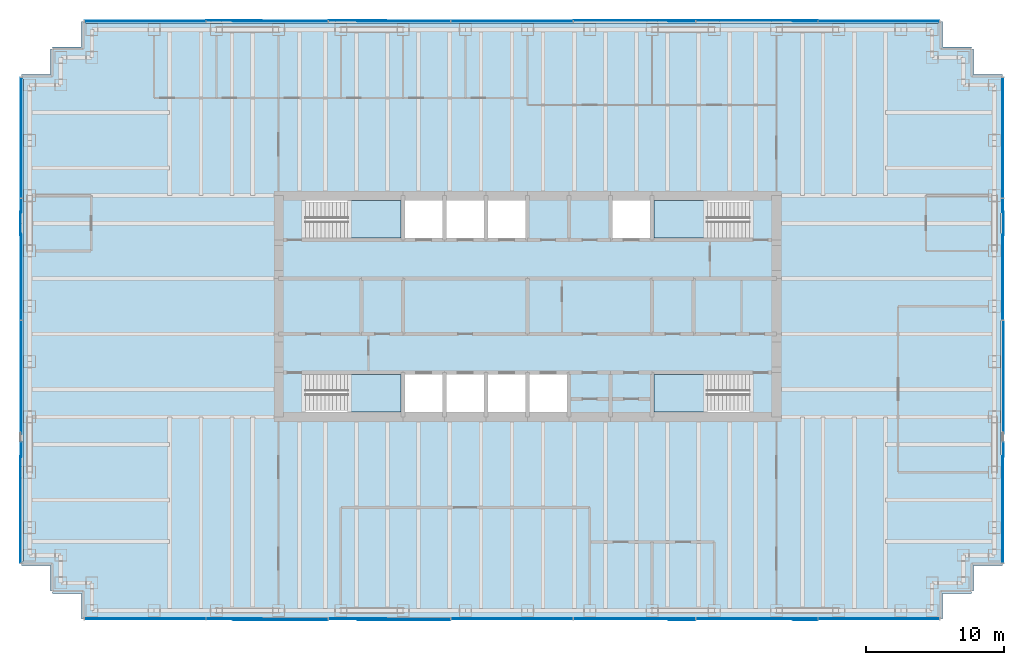
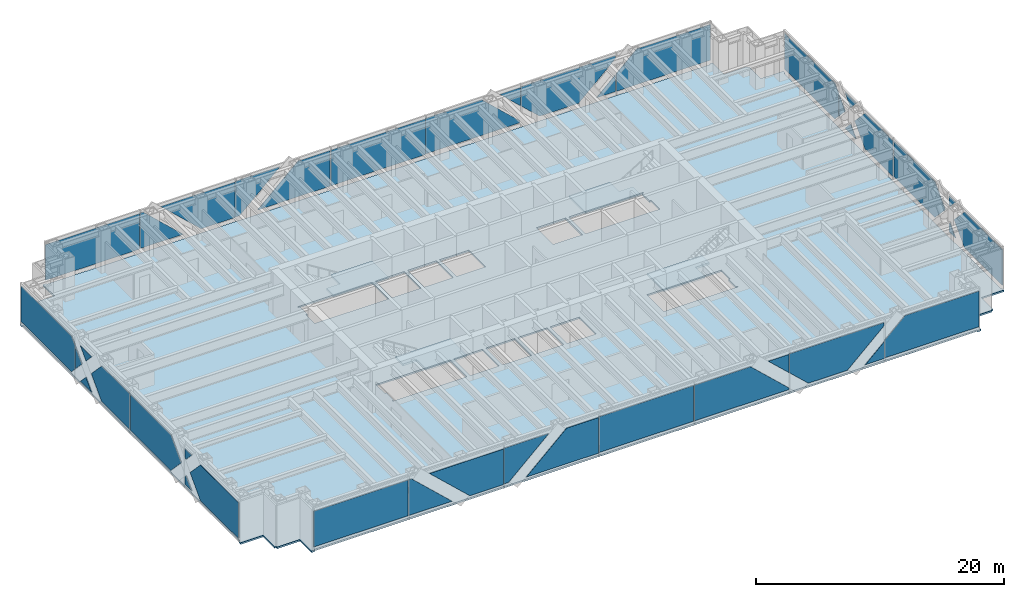
# One storey, part 10 of 17: 40 plates, 5 slabs, 8 elements without a shape of their own.
"""IFC4 building model written with IfcOpenShell, lengths in metres."""

from ifc_helpers import new_model, si_unit, direction, frame, origin, origin_2d, place, context, subcontext, project, spatial, polyline, rectangle, outline, extrude, material, layer, layer_set, type_object, element, aggregate, save


model = new_model("IFC4")

# Units and contexts
model_context = context("Model", 3, precision=1e-05, world=origin(), true_north=direction((0.0, 1.0)))
body_context = subcontext(model_context, "Body", "Model", "MODEL_VIEW")
ifc_project = project(units=[si_unit("LENGTHUNIT", "METRE"), si_unit("AREAUNIT", "SQUARE_METRE"), si_unit("VOLUMEUNIT", "CUBIC_METRE"), si_unit("PLANEANGLEUNIT", "RADIAN"), si_unit("MASSUNIT", "GRAM", prefix="KILO")], contexts=[model_context])

# Site, building, storey
site_placement = place(None, origin())
site = spatial("IfcSite", under=ifc_project, at=site_placement, CompositionType="ELEMENT")
building_placement = place(site_placement, origin())
building = spatial("IfcBuilding", under=site, at=building_placement, Name="Rheinbord Bourse Tower", CompositionType="ELEMENT")
storey_placement = place(building_placement, frame((0.0, 0.0, 321.5)))
storey = spatial("IfcBuildingStorey", under=building, at=storey_placement, Name="L73", CompositionType="ELEMENT", Elevation=321.5)

# Slab
ifc_material_1 = material(Name="Concrete C30/37", Category="concrete")
ifc_layer_1 = layer(ifc_material_1, 0.159912109375)
ifc_layer_set_1 = layer_set([ifc_layer_1], Name="COMPOSITE FLOOR SLAB 160")
slab_type_1 = type_object("IfcSlabType", Name="COMPOSITE FLOOR SLAB 160", PredefinedType="FLOOR", material=ifc_layer_set_1)
slab_1_placement = place(storey_placement, frame((0.0, 0.0, -0.159912109375)))
element("IfcSlab", 1, at=slab_1_placement, inside=storey, type_object=slab_type_1, Name="Floor slab L73", PredefinedType="FLOOR", context=body_context, shape_type="SweptSolid", body=[
    extrude(outline(polyline([(1.64990234375, 3.39990234375), (1.5, 3.39990234375), (1.5, 5.25), (-0.60009765625, 5.25), (-0.60009765625, 5.550048828125), (-0.5, 5.550048828125), (-0.5, 40.449951171875), (-0.60009765625, 40.449951171875), (-0.60009765625, 40.75), (1.5, 40.75), (1.5, 42.60009765625), (1.64990234375, 42.60009765625), (1.64990234375, 42.75), (3.75, 42.75), (3.75, 44.60009765625), (4.050048828125, 44.60009765625), (4.050048828125, 44.5), (65.699951171875, 44.5), (65.699951171875, 44.60009765625), (66.0, 44.60009765625), (66.0, 42.75), (68.10009765625, 42.75), (68.10009765625, 42.60009765625), (68.25, 42.60009765625), (68.25, 40.75), (70.35009765625, 40.75), (70.35009765625, 40.449951171875), (70.25, 40.449951171875), (70.25, 5.550048828125), (70.35009765625, 5.550048828125), (70.35009765625, 5.25), (68.25, 5.25), (68.25, 3.39990234375), (68.10009765625, 3.39990234375), (68.10009765625, 3.25), (66.0, 3.25), (66.0, 1.39990234375), (65.699951171875, 1.39990234375), (65.699951171875, 1.5), (4.050048828125, 1.5), (4.050048828125, 1.39990234375), (3.75, 1.39990234375), (3.75, 3.25), (1.64990234375, 3.25), (1.64990234375, 3.39990234375)]), holes=[polyline([(19.949951171875, 19.050048828125), (26.85009765625, 19.050048828125), (26.85009765625, 16.35009765625), (19.949951171875, 16.35009765625), (19.949951171875, 16.449951171875), (20.10009765625, 16.449951171875), (20.10009765625, 17.64990234375), (19.949951171875, 17.64990234375), (19.949951171875, 19.050048828125)]), polyline([(19.949951171875, 31.64990234375), (26.85009765625, 31.64990234375), (26.85009765625, 28.949951171875), (19.949951171875, 28.949951171875), (19.949951171875, 30.35009765625), (20.10009765625, 30.35009765625), (20.10009765625, 31.550048828125), (19.949951171875, 31.550048828125), (19.949951171875, 31.64990234375)]), polyline([(52.050048828125, 16.35009765625), (45.14990234375, 16.35009765625), (45.14990234375, 19.050048828125), (52.050048828125, 19.050048828125), (52.050048828125, 17.64990234375), (51.89990234375, 17.64990234375), (51.89990234375, 16.449951171875), (52.050048828125, 16.449951171875), (52.050048828125, 16.35009765625)]), polyline([(52.050048828125, 28.949951171875), (45.14990234375, 28.949951171875), (45.14990234375, 31.64990234375), (52.050048828125, 31.64990234375), (52.050048828125, 31.550048828125), (51.89990234375, 31.550048828125), (51.89990234375, 30.35009765625), (52.050048828125, 30.35009765625), (52.050048828125, 28.949951171875)]), polyline([(27.14990234375, 16.35009765625), (27.14990234375, 19.050048828125), (29.85009765625, 19.050048828125), (29.85009765625, 16.35009765625), (27.14990234375, 16.35009765625)]), polyline([(27.14990234375, 28.949951171875), (27.14990234375, 31.64990234375), (29.85009765625, 31.64990234375), (29.85009765625, 28.949951171875), (27.14990234375, 28.949951171875)]), polyline([(30.14990234375, 16.35009765625), (30.14990234375, 19.050048828125), (32.85009765625, 19.050048828125), (32.85009765625, 16.35009765625), (30.14990234375, 16.35009765625)]), polyline([(30.14990234375, 28.949951171875), (30.14990234375, 31.64990234375), (32.85009765625, 31.64990234375), (32.85009765625, 28.949951171875), (30.14990234375, 28.949951171875)]), polyline([(33.14990234375, 16.35009765625), (33.14990234375, 19.050048828125), (35.85009765625, 19.050048828125), (35.85009765625, 16.35009765625), (33.14990234375, 16.35009765625)]), polyline([(33.14990234375, 28.949951171875), (33.14990234375, 31.64990234375), (35.85009765625, 31.64990234375), (35.85009765625, 28.949951171875), (33.14990234375, 28.949951171875)]), polyline([(36.14990234375, 16.35009765625), (36.14990234375, 19.050048828125), (38.85009765625, 19.050048828125), (38.85009765625, 16.35009765625), (36.14990234375, 16.35009765625)]), polyline([(42.14990234375, 28.949951171875), (42.14990234375, 31.64990234375), (44.85009765625, 31.64990234375), (44.85009765625, 28.949951171875), (42.14990234375, 28.949951171875)])]), origin(), (0.0, 0.0, 1.0), 0.159912109375),
])

# Curtain wall, plates
ifc_material_2 = material(Name="Dark glass and black aluminium", Category="aluminium")
curtain_wall_type = type_object("IfcCurtainWallType", Name="CW3 DARK GLASS CURTAIN WALL", PredefinedType="USERDEFINED", material=ifc_material_2)
curtain_wall_1_placement = place(storey_placement, origin())
curtain_wall_1 = element("IfcCurtainWall", 2, at=curtain_wall_1_placement, inside=storey, type_object=curtain_wall_type, Name="Curtain wall CW3 S L73", ObjectType="UNITISED CURTAIN WALL", PredefinedType="USERDEFINED")
ifc_material_3 = material(Name="Dark tinted triple insulating glass", Category="glass")
ifc_layer_2 = layer(ifc_material_3, 0.055908203125)
ifc_layer_set_2 = layer_set([ifc_layer_2], Name="CW3 DARK GLASS PANEL")
plate_type = type_object("IfcPlateType", Name="CW3 DARK GLASS PANEL", PredefinedType="CURTAIN_PANEL", material=ifc_layer_set_2)
plate_1_placement = place(storey_placement, frame((8.34130859375, 1.39990234375, 0.35009765625), z_axis=(0.0, 0.0, 1.0), x_axis=(1.0, 0.0, 0.0)))
plate_1 = element("IfcPlate", 3, at=plate_1_placement, type_object=plate_type, Name="CW3 panel 1.1", PredefinedType="CURTAIN_PANEL", context=body_context, shape_type="SweptSolid", body=[
    extrude(rectangle(XDim=8.75244140625, YDim=0.055908203125, at=origin_2d()), origin(), (0.0, 0.0, 1.0), 3.5),
])
plate_2_placement = place(storey_placement, frame((34.875, 1.39990234375, 0.35009765625), z_axis=(0.0, 0.0, 1.0), x_axis=(1.0, 0.0, 0.0)))
plate_2 = element("IfcPlate", 4, at=plate_2_placement, type_object=plate_type, Name="CW3 panel 4.1", PredefinedType="CURTAIN_PANEL", context=body_context, shape_type="SweptSolid", body=[
    extrude(rectangle(XDim=8.784912109375, YDim=0.055908203125, at=origin_2d()), origin(), (0.0, 0.0, 1.0), 3.5),
])
plate_3_placement = place(storey_placement, frame((12.782958984375, 1.3720703125, 0.35009765625), z_axis=(0.0, 1.0, 0.0), x_axis=(0.0, 0.0, 1.0)))
plate_3 = element("IfcPlate", 5, at=plate_3_placement, type_object=plate_type, Name="CW3 glass facet 1", PredefinedType="CURTAIN_PANEL", context=body_context, shape_type="SweptSolid", body=[
    extrude(outline(polyline([(0.0, 0.0), (3.5, 0.0), (3.5, 0.280029296875), (0.0, 4.030029296875), (0.0, 0.0)])), origin(), (0.0, 0.0, 1.0), 0.055908203125),
])
plate_4_placement = place(storey_placement, frame((21.56689453125, 1.31103515625, 3.85009765625), z_axis=(0.0, 1.0, 0.0), x_axis=(0.0, 0.0, -1.0)))
plate_4 = element("IfcPlate", 6, at=plate_4_placement, type_object=plate_type, Name="CW3 glass facet 2", PredefinedType="CURTAIN_PANEL", context=body_context, shape_type="SweptSolid", body=[
    extrude(outline(polyline([(0.0, 0.0), (3.5, 0.0), (3.5, 3.1298828125), (0.0, 6.8798828125), (0.0, 0.0)])), origin(), (0.0, 0.0, 1.0), 0.055908203125),
])
plate_5_placement = place(storey_placement, frame((21.633056640625, 1.3720703125, 0.35009765625), z_axis=(0.0, 1.0, 0.0), x_axis=(0.0, 0.0, 1.0)))
plate_5 = element("IfcPlate", 7, at=plate_5_placement, type_object=plate_type, Name="CW3 glass facet 1", PredefinedType="CURTAIN_PANEL", context=body_context, shape_type="SweptSolid", body=[
    extrude(outline(polyline([(0.0, 0.0), (3.5, 0.0), (3.5, 4.179931640625), (0.0, 0.429931640625), (0.0, 0.0)])), origin(), (0.0, 0.0, 1.0), 0.055908203125),
])
plate_6_placement = place(storey_placement, frame((30.4169921875, 1.31103515625, 3.85009765625), z_axis=(0.0, 1.0, 0.0), x_axis=(0.0, 0.0, -1.0)))
plate_6 = element("IfcPlate", 8, at=plate_6_placement, type_object=plate_type, Name="CW3 glass facet 2", PredefinedType="CURTAIN_PANEL", context=body_context, shape_type="SweptSolid", body=[
    extrude(outline(polyline([(0.0, 0.0), (3.5, 0.0), (3.5, 6.72998046875), (0.0, 2.97998046875), (0.0, 0.0)])), origin(), (0.0, 0.0, 1.0), 0.055908203125),
])
plate_7_placement = place(storey_placement, frame((48.116943359375, 1.3720703125, 0.35009765625), z_axis=(0.0, 1.0, 0.0), x_axis=(-1.0, 0.0, 0.0)))
plate_7 = element("IfcPlate", 9, at=plate_7_placement, type_object=plate_type, Name="CW3 glass facet 1", PredefinedType="CURTAIN_PANEL", context=body_context, shape_type="SweptSolid", body=[
    extrude(outline(polyline([(0.0, 0.0), (8.783935546875, 0.0), (8.783935546875, 3.5), (3.553955078125, 3.5), (0.0, 0.182861328125), (0.0, 0.0)])), origin(), (0.0, 0.0, 1.0), 0.055908203125),
])
plate_8_placement = place(storey_placement, frame((48.116943359375, 1.31103515625, 3.85009765625), z_axis=(0.0, 1.0, 0.0), x_axis=(0.0, 0.0, -1.0)))
plate_8 = element("IfcPlate", 10, at=plate_8_placement, type_object=plate_type, Name="CW3 glass facet 2", PredefinedType="CURTAIN_PANEL", context=body_context, shape_type="SweptSolid", body=[
    extrude(outline(polyline([(0.0, 0.0), (1.802001953125, 0.0), (0.0, 1.929931640625), (0.0, 0.0)])), origin(), (0.0, 0.0, 1.0), 0.055908203125),
])
plate_9_placement = place(storey_placement, frame((49.93701171875, 1.3720703125, 0.35009765625), z_axis=(0.0, 1.0, 0.0), x_axis=(-0.731295398421, 0.0, 0.682060877231)))
plate_9 = element("IfcPlate", 11, at=plate_9_placement, type_object=plate_type, Name="CW3 glass facet 1", PredefinedType="CURTAIN_PANEL", context=body_context, shape_type="SweptSolid", body=[
    extrude(outline(polyline([(0.0, 0.0), (2.400146484375, 0.0), (3.670654296875, 1.362548828125), (-2.75390625, 7.3544921875), (-2.97412109375, 7.1181640625), (-2.651611328125, 2.47314453125), (0.0, 0.0)])), origin(), (0.0, 0.0, 1.0), 0.055908203125),
])
plate_10_placement = place(storey_placement, frame((56.967041015625, 1.31103515625, 0.35009765625), z_axis=(0.0, 1.0, 0.0), x_axis=(-1.0, 0.0, 0.0)))
plate_10 = element("IfcPlate", 12, at=plate_10_placement, type_object=plate_type, Name="CW3 glass facet 2", PredefinedType="CURTAIN_PANEL", context=body_context, shape_type="SweptSolid", body=[
    extrude(outline(polyline([(0.0, 0.0), (1.780029296875, 0.0), (0.0, 1.661865234375), (0.0, 0.0)])), origin(), (0.0, 0.0, 1.0), 0.055908203125),
])
plate_11_placement = place(storey_placement, frame((65.784912109375, 1.3720703125, 3.85009765625), z_axis=(0.0, 1.0, 0.0), x_axis=(0.0, 0.0, -1.0)))
plate_11 = element("IfcPlate", 13, at=plate_11_placement, type_object=plate_type, Name="CW3 glass facet 1", PredefinedType="CURTAIN_PANEL", context=body_context, shape_type="SweptSolid", body=[
    extrude(outline(polyline([(0.0, 0.0), (3.5, 0.0), (3.5, 8.7529296875), (1.777099609375, 8.7529296875), (0.0, 6.847900390625), (0.0, 0.0)])), origin(), (0.0, 0.0, 1.0), 0.055908203125),
])
aggregate(curtain_wall_1, [plate_1, plate_2, plate_3, plate_4, plate_5, plate_6, plate_7, plate_8, plate_9, plate_10, plate_11])

curtain_wall_2_placement = place(storey_placement, origin())
curtain_wall_2 = element("IfcCurtainWall", 14, at=curtain_wall_2_placement, inside=storey, type_object=curtain_wall_type, Name="Curtain wall CW3 E L73", ObjectType="UNITISED CURTAIN WALL", PredefinedType="USERDEFINED")
plate_12_placement = place(storey_placement, frame((70.3779296875, 5.465087890625, 0.35009765625), z_axis=(-1.0, 0.0, 0.0), x_axis=(0.0, 0.0, 1.0)))
plate_12 = element("IfcPlate", 15, at=plate_12_placement, type_object=plate_type, Name="CW3 glass facet 1", PredefinedType="CURTAIN_PANEL", context=body_context, shape_type="SweptSolid", body=[
    extrude(outline(polyline([(0.0, 0.0), (3.5, 0.0), (3.5, 6.10302734375), (1.75, 7.77001953125), (0.0, 6.10302734375), (0.0, 0.0)])), origin(), (0.0, 0.0, 1.0), 0.055908203125),
])
plate_13_placement = place(storey_placement, frame((70.43896484375, 14.16796875, 0.35009765625), z_axis=(-1.0, 0.0, 0.0), x_axis=(0.0, -1.0, 0.0)))
plate_13 = element("IfcPlate", 16, at=plate_13_placement, type_object=plate_type, Name="CW3 glass facet 2", PredefinedType="CURTAIN_PANEL", context=body_context, shape_type="SweptSolid", body=[
    extrude(outline(polyline([(0.0, 0.0), (1.070068359375, 0.0), (0.16796875, 0.947021484375), (0.0, 0.77099609375), (0.0, 0.0)])), origin(), (0.0, 0.0, 1.0), 0.055908203125),
])
plate_14_placement = place(storey_placement, frame((70.43896484375, 14.16796875, 3.85009765625), z_axis=(-1.0, 0.0, 0.0), x_axis=(0.0, 0.0, -1.0)))
plate_14 = element("IfcPlate", 17, at=plate_14_placement, type_object=plate_type, Name="CW3 glass facet 3", PredefinedType="CURTAIN_PANEL", context=body_context, shape_type="SweptSolid", body=[
    extrude(outline(polyline([(0.0, 0.0), (0.77099609375, 0.0), (0.947021484375, 0.16796875), (0.0, 1.070068359375), (0.0, 0.0)])), origin(), (0.0, 0.0, 1.0), 0.055908203125),
])
plate_15_placement = place(storey_placement, frame((70.43896484375, 22.968017578125, 3.85009765625), z_axis=(-1.0, 0.0, 0.0), x_axis=(0.0, 0.0, -1.0)))
plate_15 = element("IfcPlate", 18, at=plate_15_placement, type_object=plate_type, Name="CW3 glass facet 3", PredefinedType="CURTAIN_PANEL", context=body_context, shape_type="SweptSolid", body=[
    extrude(outline(polyline([(0.0, 0.0), (3.5, 0.0), (3.5, 6.5361328125), (1.75, 8.203125), (0.0, 6.5361328125), (0.0, 0.0)])), origin(), (0.0, 0.0, 1.0), 0.055908203125),
])
plate_16_placement = place(storey_placement, frame((70.3779296875, 23.031982421875, 0.35009765625), z_axis=(-1.0, 0.0, 0.0), x_axis=(0.0, 0.0, 1.0)))
plate_16 = element("IfcPlate", 19, at=plate_16_placement, type_object=plate_type, Name="CW3 glass facet 1", PredefinedType="CURTAIN_PANEL", context=body_context, shape_type="SweptSolid", body=[
    extrude(outline(polyline([(0.0, 0.0), (3.5, 0.0), (3.5, 4.5361328125), (1.75, 6.203125), (0.0, 4.5361328125), (0.0, 0.0)])), origin(), (0.0, 0.0, 1.0), 0.055908203125),
])
plate_17_placement = place(storey_placement, frame((70.43896484375, 29.097900390625, 0.35009765625), z_axis=(-1.0, 0.0, 0.0), x_axis=(0.0, 0.689725085129, 0.72407134106)))
plate_17 = element("IfcPlate", 20, at=plate_17_placement, type_object=plate_type, Name="CW3 glass facet 2", PredefinedType="CURTAIN_PANEL", context=body_context, shape_type="SweptSolid", body=[
    extrude(outline(polyline([(0.0, 0.0), (1.307861328125, 0.0), (1.244384765625, 1.306396484375), (0.0, 0.0)])), origin(), (0.0, 0.0, 1.0), 0.055908203125),
])
plate_18_placement = place(storey_placement, frame((70.43896484375, 30.902099609375, 3.85009765625), z_axis=(-1.0, 0.0, 0.0), x_axis=(0.0, -0.689725085129, -0.72407134106)))
plate_18 = element("IfcPlate", 21, at=plate_18_placement, type_object=plate_type, Name="CW3 glass facet 3", PredefinedType="CURTAIN_PANEL", context=body_context, shape_type="SweptSolid", body=[
    extrude(outline(polyline([(0.0, 0.0), (1.307861328125, 0.0), (1.244384765625, 1.306396484375), (0.0, 0.0)])), origin(), (0.0, 0.0, 1.0), 0.055908203125),
])
plate_19_placement = place(storey_placement, frame((70.3779296875, 31.76708984375, 1.047119140625), z_axis=(-1.0, 0.0, 0.0), x_axis=(0.0, -0.689424484205, 0.724357564038)))
plate_19 = element("IfcPlate", 22, at=plate_19_placement, type_object=plate_type, Name="CW3 glass facet 4", PredefinedType="CURTAIN_PANEL", context=body_context, shape_type="SweptSolid", body=[
    extrude(outline(polyline([(0.0, 0.0), (1.45361328125, 0.0), (1.525390625, 1.451904296875), (0.0, 0.0)])), origin(), (0.0, 0.0, 1.0), 0.055908203125),
])
plate_20_placement = place(storey_placement, frame((70.3779296875, 40.534912109375, 3.85009765625), z_axis=(-1.0, 0.0, 0.0), x_axis=(0.0, 0.0, -1.0)))
plate_20 = element("IfcPlate", 23, at=plate_20_placement, type_object=plate_type, Name="CW3 glass facet 1", PredefinedType="CURTAIN_PANEL", context=body_context, shape_type="SweptSolid", body=[
    extrude(outline(polyline([(0.0, 0.0), (3.5, 0.0), (3.5, 8.10302734375), (2.87109375, 8.701904296875), (0.629150390625, 8.701904296875), (0.0, 8.10302734375), (0.0, 0.0)])), origin(), (0.0, 0.0, 1.0), 0.055908203125),
])
aggregate(curtain_wall_2, [plate_12, plate_13, plate_14, plate_15, plate_16, plate_17, plate_18, plate_19, plate_20])

curtain_wall_3_placement = place(storey_placement, origin())
curtain_wall_3 = element("IfcCurtainWall", 24, at=curtain_wall_3_placement, inside=storey, type_object=curtain_wall_type, Name="Curtain wall CW3 N L73", ObjectType="UNITISED CURTAIN WALL", PredefinedType="USERDEFINED")
plate_21_placement = place(storey_placement, frame((34.875, 44.60009765625, 0.35009765625), z_axis=(0.0, 0.0, 1.0), x_axis=(-1.0, 0.0, 0.0)))
plate_21 = element("IfcPlate", 25, at=plate_21_placement, type_object=plate_type, Name="CW3 panel 4.1", PredefinedType="CURTAIN_PANEL", context=body_context, shape_type="SweptSolid", body=[
    extrude(rectangle(XDim=8.784912109375, YDim=0.055908203125, at=origin_2d()), origin(), (0.0, 0.0, 1.0), 3.5),
])
plate_22_placement = place(storey_placement, frame((8.34130859375, 44.60009765625, 0.35009765625), z_axis=(0.0, 0.0, 1.0), x_axis=(-1.0, 0.0, 0.0)))
plate_22 = element("IfcPlate", 26, at=plate_22_placement, type_object=plate_type, Name="CW3 panel 7.1", PredefinedType="CURTAIN_PANEL", context=body_context, shape_type="SweptSolid", body=[
    extrude(rectangle(XDim=8.75244140625, YDim=0.055908203125, at=origin_2d()), origin(), (0.0, 0.0, 1.0), 3.5),
])
plate_23_placement = place(storey_placement, frame((57.031982421875, 44.6279296875, 0.35009765625), z_axis=(0.0, -1.0, 0.0), x_axis=(1.0, 0.0, 0.0)))
plate_23 = element("IfcPlate", 27, at=plate_23_placement, type_object=plate_type, Name="CW3 glass facet 1", PredefinedType="CURTAIN_PANEL", context=body_context, shape_type="SweptSolid", body=[
    extrude(outline(polyline([(0.0, 0.0), (8.7529296875, 0.0), (8.7529296875, 3.5), (1.905029296875, 3.5), (0.0, 1.722900390625), (0.0, 0.0)])), origin(), (0.0, 0.0, 1.0), 0.055908203125),
])
plate_24_placement = place(storey_placement, frame((56.967041015625, 44.6279296875, 0.35009765625), z_axis=(0.0, -1.0, 0.0), x_axis=(0.0, 0.0, 1.0)))
plate_24 = element("IfcPlate", 28, at=plate_24_placement, type_object=plate_type, Name="CW3 glass facet 1", PredefinedType="CURTAIN_PANEL", context=body_context, shape_type="SweptSolid", body=[
    extrude(outline(polyline([(0.0, 0.0), (1.661865234375, 0.0), (0.0, 1.780029296875), (0.0, 0.0)])), origin(), (0.0, 0.0, 1.0), 0.055908203125),
])
plate_25_placement = place(storey_placement, frame((53.56298828125, 44.68896484375, 0.35009765625), z_axis=(0.0, -1.0, 0.0), x_axis=(0.731067473335, 0.0, 0.682305173241)))
plate_25 = element("IfcPlate", 29, at=plate_25_placement, type_object=plate_type, Name="CW3 glass facet 2", PredefinedType="CURTAIN_PANEL", context=body_context, shape_type="SweptSolid", body=[
    extrude(outline(polyline([(0.0, 0.0), (4.65625, 0.0), (4.876708984375, 0.236083984375), (-1.5458984375, 6.230224609375), (-2.817138671875, 4.8681640625), (-2.65087890625, 2.47412109375), (0.0, 0.0)])), origin(), (0.0, 0.0, 1.0), 0.055908203125),
])
plate_26_placement = place(storey_placement, frame((48.116943359375, 44.6279296875, 3.85009765625), z_axis=(0.0, -1.0, 0.0), x_axis=(-1.0, 0.0, 0.0)))
plate_26 = element("IfcPlate", 30, at=plate_26_placement, type_object=plate_type, Name="CW3 glass facet 1", PredefinedType="CURTAIN_PANEL", context=body_context, shape_type="SweptSolid", body=[
    extrude(outline(polyline([(0.0, 0.0), (1.929931640625, 0.0), (0.0, 1.802001953125), (0.0, 0.0)])), origin(), (0.0, 0.0, 1.0), 0.055908203125),
])
plate_27_placement = place(storey_placement, frame((39.33203125, 44.68896484375, 3.85009765625), z_axis=(0.0, -1.0, 0.0), x_axis=(0.0, 0.0, -1.0)))
plate_27 = element("IfcPlate", 31, at=plate_27_placement, type_object=plate_type, Name="CW3 glass facet 2", PredefinedType="CURTAIN_PANEL", context=body_context, shape_type="SweptSolid", body=[
    extrude(outline(polyline([(0.0, 0.0), (3.5, 0.0), (3.5, 8.784912109375), (3.317138671875, 8.784912109375), (0.0, 5.23095703125), (0.0, 0.0)])), origin(), (0.0, 0.0, 1.0), 0.055908203125),
])
plate_28_placement = place(storey_placement, frame((30.4169921875, 44.6279296875, 0.35009765625), z_axis=(0.0, -1.0, 0.0), x_axis=(0.0, 0.0, 1.0)))
plate_28 = element("IfcPlate", 32, at=plate_28_placement, type_object=plate_type, Name="CW3 glass facet 1", PredefinedType="CURTAIN_PANEL", context=body_context, shape_type="SweptSolid", body=[
    extrude(outline(polyline([(0.0, 0.0), (3.5, 0.0), (3.5, 2.97998046875), (0.0, 6.72998046875), (0.0, 0.0)])), origin(), (0.0, 0.0, 1.0), 0.055908203125),
])
plate_29_placement = place(storey_placement, frame((21.632080078125, 44.68896484375, 3.85009765625), z_axis=(0.0, -1.0, 0.0), x_axis=(0.0, 0.0, -1.0)))
plate_29 = element("IfcPlate", 33, at=plate_29_placement, type_object=plate_type, Name="CW3 glass facet 2", PredefinedType="CURTAIN_PANEL", context=body_context, shape_type="SweptSolid", body=[
    extrude(outline(polyline([(0.0, 0.0), (3.5, 0.0), (3.5, 0.430908203125), (0.0, 4.180908203125), (0.0, 0.0)])), origin(), (0.0, 0.0, 1.0), 0.055908203125),
])
plate_30_placement = place(storey_placement, frame((21.56689453125, 44.6279296875, 0.35009765625), z_axis=(0.0, -1.0, 0.0), x_axis=(0.0, 0.0, 1.0)))
plate_30 = element("IfcPlate", 34, at=plate_30_placement, type_object=plate_type, Name="CW3 glass facet 1", PredefinedType="CURTAIN_PANEL", context=body_context, shape_type="SweptSolid", body=[
    extrude(outline(polyline([(0.0, 0.0), (3.5, 0.0), (3.5, 6.8798828125), (0.0, 3.1298828125), (0.0, 0.0)])), origin(), (0.0, 0.0, 1.0), 0.055908203125),
])
plate_31_placement = place(storey_placement, frame((12.781982421875, 44.68896484375, 3.85009765625), z_axis=(0.0, -1.0, 0.0), x_axis=(0.0, 0.0, -1.0)))
plate_31 = element("IfcPlate", 35, at=plate_31_placement, type_object=plate_type, Name="CW3 glass facet 2", PredefinedType="CURTAIN_PANEL", context=body_context, shape_type="SweptSolid", body=[
    extrude(outline(polyline([(0.0, 0.0), (3.5, 0.0), (3.5, 4.031005859375), (0.0, 0.281005859375), (0.0, 0.0)])), origin(), (0.0, 0.0, 1.0), 0.055908203125),
])
aggregate(curtain_wall_3, [plate_21, plate_22, plate_23, plate_24, plate_25, plate_26, plate_27, plate_28, plate_29, plate_30, plate_31])

curtain_wall_4_placement = place(storey_placement, origin())
curtain_wall_4 = element("IfcCurtainWall", 36, at=curtain_wall_4_placement, inside=storey, type_object=curtain_wall_type, Name="Curtain wall CW3 W L73", ObjectType="UNITISED CURTAIN WALL", PredefinedType="USERDEFINED")
plate_32_placement = place(storey_placement, frame((-0.6279296875, 40.534912109375, 0.35009765625), z_axis=(1.0, 0.0, 0.0), x_axis=(0.0, 0.0, 1.0)))
plate_32 = element("IfcPlate", 37, at=plate_32_placement, type_object=plate_type, Name="CW3 glass facet 1", PredefinedType="CURTAIN_PANEL", context=body_context, shape_type="SweptSolid", body=[
    extrude(outline(polyline([(0.0, 0.0), (3.5, 0.0), (3.5, 8.10302734375), (2.870849609375, 8.701904296875), (0.62890625, 8.701904296875), (0.0, 8.10302734375), (0.0, 0.0)])), origin(), (0.0, 0.0, 1.0), 0.055908203125),
])
plate_33_placement = place(storey_placement, frame((-0.6279296875, 31.76708984375, 3.153076171875), z_axis=(1.0, 0.0, 0.0), x_axis=(0.0, -0.689424484205, -0.724357564038)))
plate_33 = element("IfcPlate", 38, at=plate_33_placement, type_object=plate_type, Name="CW3 glass facet 1", PredefinedType="CURTAIN_PANEL", context=body_context, shape_type="SweptSolid", body=[
    extrude(outline(polyline([(0.0, 0.0), (1.45361328125, 0.0), (1.525390625, 1.451904296875), (0.0, 0.0)])), origin(), (0.0, 0.0, 1.0), 0.055908203125),
])
plate_34_placement = place(storey_placement, frame((-0.68896484375, 30.902099609375, 0.35009765625), z_axis=(1.0, 0.0, 0.0), x_axis=(0.0, -0.689725085129, 0.72407134106)))
plate_34 = element("IfcPlate", 39, at=plate_34_placement, type_object=plate_type, Name="CW3 glass facet 2", PredefinedType="CURTAIN_PANEL", context=body_context, shape_type="SweptSolid", body=[
    extrude(outline(polyline([(0.0, 0.0), (1.307861328125, 0.0), (1.244384765625, 1.306396484375), (0.0, 0.0)])), origin(), (0.0, 0.0, 1.0), 0.055908203125),
])
plate_35_placement = place(storey_placement, frame((-0.68896484375, 29.097900390625, 3.85009765625), z_axis=(1.0, 0.0, 0.0), x_axis=(0.0, 0.689725085129, -0.72407134106)))
plate_35 = element("IfcPlate", 40, at=plate_35_placement, type_object=plate_type, Name="CW3 glass facet 3", PredefinedType="CURTAIN_PANEL", context=body_context, shape_type="SweptSolid", body=[
    extrude(outline(polyline([(0.0, 0.0), (1.307861328125, 0.0), (1.244384765625, 1.306396484375), (0.0, 0.0)])), origin(), (0.0, 0.0, 1.0), 0.055908203125),
])
plate_36_placement = place(storey_placement, frame((-0.6279296875, 23.031982421875, 3.85009765625), z_axis=(1.0, 0.0, 0.0), x_axis=(0.0, 0.0, -1.0)))
plate_36 = element("IfcPlate", 41, at=plate_36_placement, type_object=plate_type, Name="CW3 glass facet 4", PredefinedType="CURTAIN_PANEL", context=body_context, shape_type="SweptSolid", body=[
    extrude(outline(polyline([(0.0, 0.0), (3.5, 0.0), (3.5, 4.5361328125), (1.75, 6.203125), (0.0, 4.5361328125), (0.0, 0.0)])), origin(), (0.0, 0.0, 1.0), 0.055908203125),
])
plate_37_placement = place(storey_placement, frame((-0.6279296875, 22.968017578125, 0.35009765625), z_axis=(1.0, 0.0, 0.0), x_axis=(0.0, 0.0, 1.0)))
plate_37 = element("IfcPlate", 42, at=plate_37_placement, type_object=plate_type, Name="CW3 glass facet 1", PredefinedType="CURTAIN_PANEL", context=body_context, shape_type="SweptSolid", body=[
    extrude(outline(polyline([(0.0, 0.0), (3.5, 0.0), (3.5, 6.5361328125), (1.75, 8.203125), (0.0, 6.5361328125), (0.0, 0.0)])), origin(), (0.0, 0.0, 1.0), 0.055908203125),
])
plate_38_placement = place(storey_placement, frame((-0.6279296875, 14.1669921875, 0.35009765625), z_axis=(1.0, 0.0, 0.0), x_axis=(0.0, 0.0, 1.0)))
plate_38 = element("IfcPlate", 43, at=plate_38_placement, type_object=plate_type, Name="CW3 glass facet 1", PredefinedType="CURTAIN_PANEL", context=body_context, shape_type="SweptSolid", body=[
    extrude(outline(polyline([(0.0, 0.0), (0.77099609375, 0.0), (0.947021484375, 0.1669921875), (0.0, 1.069091796875), (0.0, 0.0)])), origin(), (0.0, 0.0, 1.0), 0.055908203125),
])
plate_39_placement = place(storey_placement, frame((-0.6279296875, 14.1669921875, 3.85009765625), z_axis=(1.0, 0.0, 0.0), x_axis=(0.0, -1.0, 0.0)))
plate_39 = element("IfcPlate", 44, at=plate_39_placement, type_object=plate_type, Name="CW3 glass facet 2", PredefinedType="CURTAIN_PANEL", context=body_context, shape_type="SweptSolid", body=[
    extrude(outline(polyline([(0.0, 0.0), (1.069091796875, 0.0), (0.1669921875, 0.947021484375), (0.0, 0.77099609375), (0.0, 0.0)])), origin(), (0.0, 0.0, 1.0), 0.055908203125),
])
plate_40_placement = place(storey_placement, frame((-0.68896484375, 5.465087890625, 3.85009765625), z_axis=(1.0, 0.0, 0.0), x_axis=(0.0, 0.0, -1.0)))
plate_40 = element("IfcPlate", 45, at=plate_40_placement, type_object=plate_type, Name="CW3 glass facet 3", PredefinedType="CURTAIN_PANEL", context=body_context, shape_type="SweptSolid", body=[
    extrude(outline(polyline([(0.0, 0.0), (3.5, 0.0), (3.5, 6.10302734375), (1.75, 7.77001953125), (0.0, 6.10302734375), (0.0, 0.0)])), origin(), (0.0, 0.0, 1.0), 0.055908203125),
])
aggregate(curtain_wall_4, [plate_32, plate_33, plate_34, plate_35, plate_36, plate_37, plate_38, plate_39, plate_40])

# Stair, slab
ifc_material_4 = material(Name="Concrete C30/37", Category="concrete")
stair_type = type_object("IfcStairType", Name="CORE STAIR HALF TURN 4200", PredefinedType="HALF_TURN_STAIR", material=ifc_material_4)
stair_1_placement = place(storey_placement, origin())
stair_1 = element("IfcStair", 46, at=stair_1_placement, inside=storey, type_object=stair_type, Name="Stair ST1 L73, type CS6", PredefinedType="HALF_TURN_STAIR")
ifc_material_5 = material(Name="Concrete C30/37", Category="concrete")
ifc_layer_3 = layer(ifc_material_5, 0.199951171875)
ifc_layer_set_3 = layer_set([ifc_layer_3], Name="STAIR LANDING 200")
slab_type_2 = type_object("IfcSlabType", Name="STAIR LANDING 200", PredefinedType="LANDING", material=ifc_layer_set_3)
slab_2_placement = place(storey_placement, frame((0.0, 0.0, 1.89990234375)))
slab_2 = element("IfcSlab", 47, at=slab_2_placement, type_object=slab_type_2, Name="Half landing ST1 L73", PredefinedType="LANDING", context=body_context, shape_type="SweptSolid", body=[
    extrude(outline(polyline([(23.030029296875, 16.35009765625), (26.85009765625, 16.35009765625), (26.85009765625, 19.050048828125), (21.748046875, 19.050048828125), (21.748046875, 17.85009765625), (23.030029296875, 17.85009765625), (23.030029296875, 16.35009765625)])), origin(), (0.0, 0.0, 1.0), 0.2001953125),
])
aggregate(stair_1, [slab_2])

stair_2_placement = place(storey_placement, origin())
stair_2 = element("IfcStair", 48, at=stair_2_placement, inside=storey, type_object=stair_type, Name="Stair ST2 L73, type CS6", PredefinedType="HALF_TURN_STAIR")
slab_3_placement = place(storey_placement, frame((0.0, 0.0, 1.89990234375)))
slab_3 = element("IfcSlab", 49, at=slab_3_placement, type_object=slab_type_2, Name="Half landing ST2 L73", PredefinedType="LANDING", context=body_context, shape_type="SweptSolid", body=[
    extrude(outline(polyline([(21.748046875, 28.949951171875), (26.85009765625, 28.949951171875), (26.85009765625, 31.64990234375), (23.030029296875, 31.64990234375), (23.030029296875, 30.14990234375), (21.748046875, 30.14990234375), (21.748046875, 28.949951171875)])), origin(), (0.0, 0.0, 1.0), 0.2001953125),
])
aggregate(stair_2, [slab_3])

stair_3_placement = place(storey_placement, origin())
stair_3 = element("IfcStair", 50, at=stair_3_placement, inside=storey, type_object=stair_type, Name="Stair ST3 L73, type CS6", PredefinedType="HALF_TURN_STAIR")
slab_4_placement = place(storey_placement, frame((0.0, 0.0, 1.89990234375)))
slab_4 = element("IfcSlab", 51, at=slab_4_placement, type_object=slab_type_2, Name="Half landing ST3 L73", PredefinedType="LANDING", context=body_context, shape_type="SweptSolid", body=[
    extrude(outline(polyline([(45.14990234375, 16.35009765625), (48.969970703125, 16.35009765625), (48.969970703125, 17.85009765625), (50.251953125, 17.85009765625), (50.251953125, 19.050048828125), (45.14990234375, 19.050048828125), (45.14990234375, 16.35009765625)])), origin(), (0.0, 0.0, 1.0), 0.2001953125),
])
aggregate(stair_3, [slab_4])

stair_4_placement = place(storey_placement, origin())
stair_4 = element("IfcStair", 52, at=stair_4_placement, inside=storey, type_object=stair_type, Name="Stair ST4 L73, type CS6", PredefinedType="HALF_TURN_STAIR")
slab_5_placement = place(storey_placement, frame((0.0, 0.0, 1.89990234375)))
slab_5 = element("IfcSlab", 53, at=slab_5_placement, type_object=slab_type_2, Name="Half landing ST4 L73", PredefinedType="LANDING", context=body_context, shape_type="SweptSolid", body=[
    extrude(outline(polyline([(45.14990234375, 28.949951171875), (50.251953125, 28.949951171875), (50.251953125, 30.14990234375), (48.969970703125, 30.14990234375), (48.969970703125, 31.64990234375), (45.14990234375, 31.64990234375), (45.14990234375, 28.949951171875)])), origin(), (0.0, 0.0, 1.0), 0.2001953125),
])
aggregate(stair_4, [slab_5])

save(model, "model.ifc")
